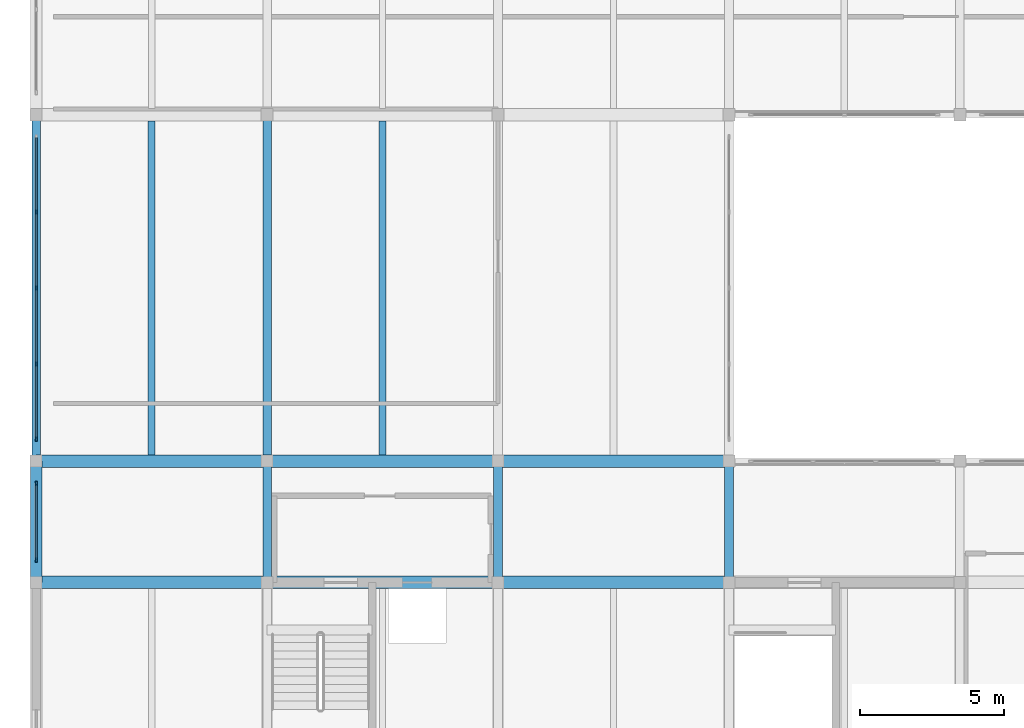
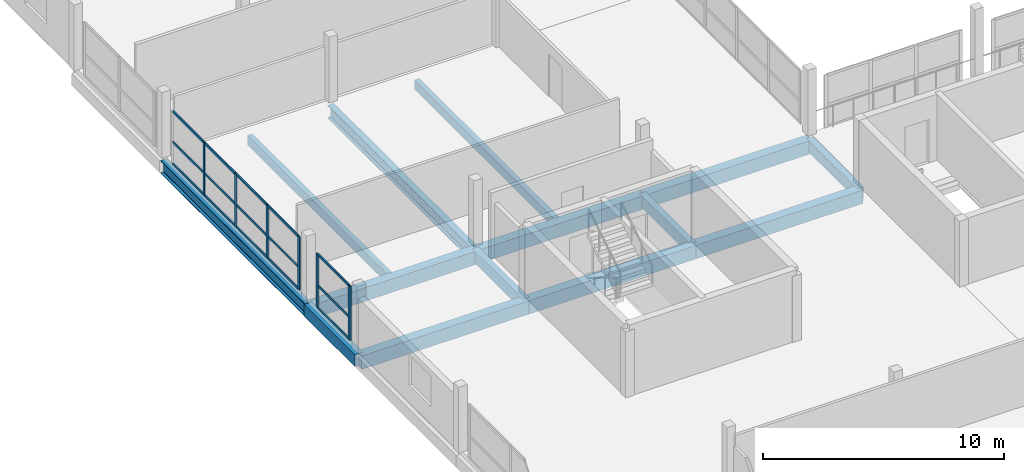
# One storey, part 18 of 51: 21 members, 14 beams, 2 elements without a shape of their own.
"""IFC4 building model written with IfcOpenShell, lengths in metres."""

from ifc_helpers import new_model, si_unit, direction, frame, origin, origin_2d, place, context, subcontext, project, spatial, rectangle, i_section, extrude, material, material_profile, profile_set, type_object, element, aggregate, save


model = new_model("IFC4")

# Units and contexts
model_context = context("Model", 3, precision=1e-05, world=origin(), true_north=direction((0.0, 1.0)))
body_context = subcontext(model_context, "Body", "Model", "MODEL_VIEW")
ifc_project = project(units=[si_unit("LENGTHUNIT", "METRE"), si_unit("AREAUNIT", "SQUARE_METRE"), si_unit("VOLUMEUNIT", "CUBIC_METRE"), si_unit("PLANEANGLEUNIT", "RADIAN"), si_unit("MASSUNIT", "GRAM", prefix="KILO")], contexts=[model_context])

# Site, building, storey
site_placement = place(None, origin())
site = spatial("IfcSite", under=ifc_project, at=site_placement, CompositionType="ELEMENT")
building_placement = place(site_placement, origin())
building = spatial("IfcBuilding", under=site, at=building_placement, Name="Vharandega Faculty of Natural Sciences", CompositionType="ELEMENT")
storey_placement = place(building_placement, frame((0.0, 0.0, 14.39990234375)))
storey = spatial("IfcBuildingStorey", under=building, at=storey_placement, Name="L03", CompositionType="ELEMENT", Elevation=14.39990234375)

# Curtain wall, members
ifc_material_1 = material(Name="Aluminium and solar-control glass curtain wall", Category="aluminium")
curtain_wall_type_1 = type_object("IfcCurtainWallType", Name="Unitised Curtain Wall System CW-09", PredefinedType="NOTDEFINED", material=ifc_material_1)
curtain_wall_1_placement = place(storey_placement, origin())
curtain_wall_1 = element("IfcCurtainWall", 1, at=curtain_wall_1_placement, inside=storey, type_object=curtain_wall_type_1, Name="Curtain Wall CW-L03-064", PredefinedType="NOTDEFINED")
ifc_material_2 = material(Name="Thermally broken aluminium 6063-T6", Category="aluminium")
ifc_material_profile_1 = material_profile(ifc_material_2, rectangle(XDim=0.06005859375, YDim=0.159912109375, at=origin_2d()), Name="ALU 60x160")
ifc_profile_set_1 = profile_set([ifc_material_profile_1], Name="Thermally broken aluminium 6063-T6")
member_type_1 = type_object("IfcMemberType", Name="CW Mullion 60x160", PredefinedType="MULLION", material=ifc_profile_set_1)
member_1_placement = place(storey_placement, frame((0.0, 81.570068359375, 0.0), z_axis=(0.0, 0.0, 1.0), x_axis=(-1.0, 0.0, 0.0)))
member_1 = element("IfcMember", 2, at=member_1_placement, type_object=member_type_1, Name="CW-09 mullion 1", PredefinedType="MULLION", context=body_context, shape_type="SweptSolid", body=[
    extrude(rectangle(XDim=0.06005859375, YDim=0.159912109375, at=origin_2d()), origin(), (0.0, 0.0, 1.0), 2.739990234375),
])
member_2_placement = place(storey_placement, frame((0.0, 84.22998046875, 0.0), z_axis=(0.0, 0.0, 1.0), x_axis=(-1.0, 0.0, 0.0)))
member_2 = element("IfcMember", 3, at=member_2_placement, type_object=member_type_1, Name="CW-09 mullion 2", PredefinedType="MULLION", context=body_context, shape_type="SweptSolid", body=[
    extrude(rectangle(XDim=0.06005859375, YDim=0.159912109375, at=origin_2d()), origin(), (0.0, 0.0, 1.0), 2.739990234375),
])

ifc_material_3 = material(Name="Aluminium and solar-control glass curtain wall", Category="aluminium")
curtain_wall_type_2 = type_object("IfcCurtainWallType", Name="Unitised Curtain Wall System CW-10", PredefinedType="NOTDEFINED", material=ifc_material_3)
curtain_wall_2_placement = place(storey_placement, origin())
curtain_wall_2 = element("IfcCurtainWall", 4, at=curtain_wall_2_placement, inside=storey, type_object=curtain_wall_type_2, Name="Curtain Wall CW-L03-065", PredefinedType="NOTDEFINED")
member_3_placement = place(storey_placement, frame((0.0, 85.77001953125, 0.0), z_axis=(0.0, 0.0, 1.0), x_axis=(-1.0, 0.0, 0.0)))
member_3 = element("IfcMember", 5, at=member_3_placement, type_object=member_type_1, Name="CW-10 mullion 1", PredefinedType="MULLION", context=body_context, shape_type="SweptSolid", body=[
    extrude(rectangle(XDim=0.06005859375, YDim=0.159912109375, at=origin_2d()), origin(), (0.0, 0.0, 1.0), 2.690185546875),
])
member_4_placement = place(storey_placement, frame((0.0, 88.3701171875, 0.0), z_axis=(0.0, 0.0, 1.0), x_axis=(-1.0, 0.0, 0.0)))
member_4 = element("IfcMember", 6, at=member_4_placement, type_object=member_type_1, Name="CW-10 mullion 2", PredefinedType="MULLION", context=body_context, shape_type="SweptSolid", body=[
    extrude(rectangle(XDim=0.06005859375, YDim=0.159912109375, at=origin_2d()), origin(), (0.0, 0.0, 1.0), 2.690185546875),
])
member_5_placement = place(storey_placement, frame((0.0, 91.0, 0.0), z_axis=(0.0, 0.0, 1.0), x_axis=(-1.0, 0.0, 0.0)))
member_5 = element("IfcMember", 7, at=member_5_placement, type_object=member_type_1, Name="CW-10 mullion 3", PredefinedType="MULLION", context=body_context, shape_type="SweptSolid", body=[
    extrude(rectangle(XDim=0.06005859375, YDim=0.159912109375, at=origin_2d()), origin(), (0.0, 0.0, 1.0), 2.690185546875),
])
member_6_placement = place(storey_placement, frame((0.0, 93.6298828125, 0.0), z_axis=(0.0, 0.0, 1.0), x_axis=(-1.0, 0.0, 0.0)))
member_6 = element("IfcMember", 8, at=member_6_placement, type_object=member_type_1, Name="CW-10 mullion 4", PredefinedType="MULLION", context=body_context, shape_type="SweptSolid", body=[
    extrude(rectangle(XDim=0.06005859375, YDim=0.159912109375, at=origin_2d()), origin(), (0.0, 0.0, 1.0), 2.690185546875),
])

# Member
ifc_material_4 = material(Name="Thermally broken aluminium 6063-T6", Category="aluminium")
ifc_material_profile_2 = material_profile(ifc_material_4, rectangle(XDim=0.06005859375, YDim=0.1201171875, at=origin_2d()), Name="ALU 60x120")
ifc_profile_set_2 = profile_set([ifc_material_profile_2], Name="Thermally broken aluminium 6063-T6")
member_type_2 = type_object("IfcMemberType", Name="CW Transom 60x120", PredefinedType="USERDEFINED", material=ifc_profile_set_2)
member_7_placement = place(storey_placement, frame((0.0, 81.60009765625, 0.030029296875), z_axis=(0.0, 1.0, 0.0), x_axis=(-1.0, 0.0, 0.0)))
member_7 = element("IfcMember", 9, at=member_7_placement, type_object=member_type_2, Name="CW-09 transom 1.1", ObjectType="TRANSOM", PredefinedType="USERDEFINED", context=body_context, shape_type="SweptSolid", body=[
    extrude(rectangle(XDim=0.06005859375, YDim=0.1201171875, at=origin_2d()), origin(), (0.0, 0.0, 1.0), 2.599853515625),
])

member_8_placement = place(storey_placement, frame((0.0, 81.60009765625, 1.15087890625), z_axis=(0.0, 1.0, 0.0), x_axis=(-1.0, 0.0, 0.0)))
member_8 = element("IfcMember", 10, at=member_8_placement, type_object=member_type_2, Name="CW-09 transom 1.2", ObjectType="TRANSOM", PredefinedType="USERDEFINED", context=body_context, shape_type="SweptSolid", body=[
    extrude(rectangle(XDim=0.06005859375, YDim=0.1201171875, at=origin_2d()), origin(), (0.0, 0.0, 1.0), 2.599853515625),
])

member_9_placement = place(storey_placement, frame((0.0, 81.60009765625, 2.710205078125), z_axis=(0.0, 1.0, 0.0), x_axis=(-1.0, 0.0, 0.0)))
member_9 = element("IfcMember", 11, at=member_9_placement, type_object=member_type_2, Name="CW-09 transom 1.3", ObjectType="TRANSOM", PredefinedType="USERDEFINED", context=body_context, shape_type="SweptSolid", body=[
    extrude(rectangle(XDim=0.06005859375, YDim=0.1201171875, at=origin_2d()), origin(), (0.0, 0.0, 1.0), 2.599853515625),
])

aggregate(curtain_wall_1, [member_1, member_2, member_7, member_8, member_9])

member_10_placement = place(storey_placement, frame((0.0, 85.800048828125, 0.030029296875), z_axis=(0.0, 1.0, 0.0), x_axis=(-1.0, 0.0, 0.0)))
member_10 = element("IfcMember", 12, at=member_10_placement, type_object=member_type_2, Name="CW-10 transom 1.1", ObjectType="TRANSOM", PredefinedType="USERDEFINED", context=body_context, shape_type="SweptSolid", body=[
    extrude(rectangle(XDim=0.06005859375, YDim=0.1201171875, at=origin_2d()), origin(), (0.0, 0.0, 1.0), 2.5400390625),
])

member_11_placement = place(storey_placement, frame((0.0, 85.800048828125, 1.1298828125), z_axis=(0.0, 1.0, 0.0), x_axis=(-1.0, 0.0, 0.0)))
member_11 = element("IfcMember", 13, at=member_11_placement, type_object=member_type_2, Name="CW-10 transom 1.2", ObjectType="TRANSOM", PredefinedType="USERDEFINED", context=body_context, shape_type="SweptSolid", body=[
    extrude(rectangle(XDim=0.06005859375, YDim=0.1201171875, at=origin_2d()), origin(), (0.0, 0.0, 1.0), 2.5400390625),
])

member_12_placement = place(storey_placement, frame((0.0, 85.800048828125, 2.66015625), z_axis=(0.0, 1.0, 0.0), x_axis=(-1.0, 0.0, 0.0)))
member_12 = element("IfcMember", 14, at=member_12_placement, type_object=member_type_2, Name="CW-10 transom 1.3", ObjectType="TRANSOM", PredefinedType="USERDEFINED", context=body_context, shape_type="SweptSolid", body=[
    extrude(rectangle(XDim=0.06005859375, YDim=0.1201171875, at=origin_2d()), origin(), (0.0, 0.0, 1.0), 2.5400390625),
])

member_13_placement = place(storey_placement, frame((0.0, 88.39990234375, 0.030029296875), z_axis=(0.0, 1.0, 0.0), x_axis=(-1.0, 0.0, 0.0)))
member_13 = element("IfcMember", 15, at=member_13_placement, type_object=member_type_2, Name="CW-10 transom 2.1", ObjectType="TRANSOM", PredefinedType="USERDEFINED", context=body_context, shape_type="SweptSolid", body=[
    extrude(rectangle(XDim=0.06005859375, YDim=0.1201171875, at=origin_2d()), origin(), (0.0, 0.0, 1.0), 2.570068359375),
])

member_14_placement = place(storey_placement, frame((0.0, 88.39990234375, 1.1298828125), z_axis=(0.0, 1.0, 0.0), x_axis=(-1.0, 0.0, 0.0)))
member_14 = element("IfcMember", 16, at=member_14_placement, type_object=member_type_2, Name="CW-10 transom 2.2", ObjectType="TRANSOM", PredefinedType="USERDEFINED", context=body_context, shape_type="SweptSolid", body=[
    extrude(rectangle(XDim=0.06005859375, YDim=0.1201171875, at=origin_2d()), origin(), (0.0, 0.0, 1.0), 2.570068359375),
])

member_15_placement = place(storey_placement, frame((0.0, 88.39990234375, 2.66015625), z_axis=(0.0, 1.0, 0.0), x_axis=(-1.0, 0.0, 0.0)))
member_15 = element("IfcMember", 17, at=member_15_placement, type_object=member_type_2, Name="CW-10 transom 2.3", ObjectType="TRANSOM", PredefinedType="USERDEFINED", context=body_context, shape_type="SweptSolid", body=[
    extrude(rectangle(XDim=0.06005859375, YDim=0.1201171875, at=origin_2d()), origin(), (0.0, 0.0, 1.0), 2.570068359375),
])

member_16_placement = place(storey_placement, frame((0.0, 91.030029296875, 0.030029296875), z_axis=(0.0, 1.0, 0.0), x_axis=(-1.0, 0.0, 0.0)))
member_16 = element("IfcMember", 18, at=member_16_placement, type_object=member_type_2, Name="CW-10 transom 3.1", ObjectType="TRANSOM", PredefinedType="USERDEFINED", context=body_context, shape_type="SweptSolid", body=[
    extrude(rectangle(XDim=0.06005859375, YDim=0.1201171875, at=origin_2d()), origin(), (0.0, 0.0, 1.0), 2.570068359375),
])

member_17_placement = place(storey_placement, frame((0.0, 91.030029296875, 1.1298828125), z_axis=(0.0, 1.0, 0.0), x_axis=(-1.0, 0.0, 0.0)))
member_17 = element("IfcMember", 19, at=member_17_placement, type_object=member_type_2, Name="CW-10 transom 3.2", ObjectType="TRANSOM", PredefinedType="USERDEFINED", context=body_context, shape_type="SweptSolid", body=[
    extrude(rectangle(XDim=0.06005859375, YDim=0.1201171875, at=origin_2d()), origin(), (0.0, 0.0, 1.0), 2.570068359375),
])

member_18_placement = place(storey_placement, frame((0.0, 91.030029296875, 2.66015625), z_axis=(0.0, 1.0, 0.0), x_axis=(-1.0, 0.0, 0.0)))
member_18 = element("IfcMember", 20, at=member_18_placement, type_object=member_type_2, Name="CW-10 transom 3.3", ObjectType="TRANSOM", PredefinedType="USERDEFINED", context=body_context, shape_type="SweptSolid", body=[
    extrude(rectangle(XDim=0.06005859375, YDim=0.1201171875, at=origin_2d()), origin(), (0.0, 0.0, 1.0), 2.570068359375),
])

member_19_placement = place(storey_placement, frame((0.0, 93.659912109375, 0.030029296875), z_axis=(0.0, 1.0, 0.0), x_axis=(-1.0, 0.0, 0.0)))
member_19 = element("IfcMember", 21, at=member_19_placement, type_object=member_type_2, Name="CW-10 transom 4.1", ObjectType="TRANSOM", PredefinedType="USERDEFINED", context=body_context, shape_type="SweptSolid", body=[
    extrude(rectangle(XDim=0.06005859375, YDim=0.1201171875, at=origin_2d()), origin(), (0.0, 0.0, 1.0), 2.5400390625),
])

member_20_placement = place(storey_placement, frame((0.0, 93.659912109375, 1.1298828125), z_axis=(0.0, 1.0, 0.0), x_axis=(-1.0, 0.0, 0.0)))
member_20 = element("IfcMember", 22, at=member_20_placement, type_object=member_type_2, Name="CW-10 transom 4.2", ObjectType="TRANSOM", PredefinedType="USERDEFINED", context=body_context, shape_type="SweptSolid", body=[
    extrude(rectangle(XDim=0.06005859375, YDim=0.1201171875, at=origin_2d()), origin(), (0.0, 0.0, 1.0), 2.5400390625),
])

member_21_placement = place(storey_placement, frame((0.0, 93.659912109375, 2.66015625), z_axis=(0.0, 1.0, 0.0), x_axis=(-1.0, 0.0, 0.0)))
member_21 = element("IfcMember", 23, at=member_21_placement, type_object=member_type_2, Name="CW-10 transom 4.3", ObjectType="TRANSOM", PredefinedType="USERDEFINED", context=body_context, shape_type="SweptSolid", body=[
    extrude(rectangle(XDim=0.06005859375, YDim=0.1201171875, at=origin_2d()), origin(), (0.0, 0.0, 1.0), 2.5400390625),
])

aggregate(curtain_wall_2, [member_3, member_4, member_5, member_6, member_10, member_11, member_12, member_13, member_14, member_15, member_16, member_17, member_18, member_19, member_20, member_21])

# Beams
ifc_material_5 = material(Name="Glulam GL28h", Category="wood")
ifc_material_profile_3 = material_profile(ifc_material_5, rectangle(XDim=0.300048828125, YDim=0.60009765625, at=origin_2d()), Name="GL28h 300x600")
ifc_profile_set_3 = profile_set([ifc_material_profile_3], Name="Glulam GL28h")
beam_type_1 = type_object("IfcBeamType", Name="Glulam Floor Beam 300x600", PredefinedType="BEAM", material=ifc_profile_set_3)
for number, where, z_axis, x_axis, name in (
    (24, (8.0, 80.800048828125, -0.539794921875), (0.0, 1.0, 0.0), (-1.0, 0.0, 0.0), "Beam L03 2/L-M"),
    (25, (16.0, 80.800048828125, -0.539794921875), (0.0, 1.0, 0.0), (-1.0, 0.0, 0.0), "Beam L03 3/L-M"),
    (26, (24.0, 80.800048828125, -0.539794921875), (0.0, 1.0, 0.0), (-1.0, 0.0, 0.0), "Beam L03 4/L-M"),
):
    element("IfcBeam", number, at=place(storey_placement, frame(where, z_axis=z_axis, x_axis=x_axis)), inside=storey, type_object=beam_type_1, Name=name, PredefinedType="BEAM", context=body_context, shape_type="SweptSolid", body=[
        extrude(rectangle(XDim=0.300048828125, YDim=0.60009765625, at=origin_2d()), origin(), (0.0, 0.0, 1.0), 4.199951171875),
    ])
ifc_material_6 = material(Name="Glulam GL32h", Category="wood")
ifc_material_profile_4 = material_profile(ifc_material_6, rectangle(XDim=0.43994140625, YDim=0.679931640625, at=origin_2d()), Name="GL32h 440x680")
ifc_profile_set_4 = profile_set([ifc_material_profile_4], Name="Glulam GL32h")
beam_type_2 = type_object("IfcBeamType", Name="Glulam Girder 440x680", PredefinedType="BEAM", material=ifc_profile_set_4)
for number, where, z_axis, x_axis, name in (
    (27, (0.0, 80.800048828125, -0.579833984375), (1.0, 0.0, 0.0), (0.0, 1.0, 0.0), "Beam L03 L/1-2"),
    (28, (8.0, 80.800048828125, -0.579833984375), (1.0, 0.0, 0.0), (0.0, 1.0, 0.0), "Beam L03 L/2-3"),
    (29, (16.0, 80.800048828125, -0.579833984375), (1.0, 0.0, 0.0), (0.0, 1.0, 0.0), "Beam L03 L/3-4"),
    (30, (0.0, 85.0, -0.579833984375), (1.0, 0.0, 0.0), (0.0, 1.0, 0.0), "Beam L03 M/1-2"),
    (31, (8.0, 85.0, -0.579833984375), (1.0, 0.0, 0.0), (0.0, 1.0, 0.0), "Beam L03 M/2-3"),
    (32, (16.0, 85.0, -0.579833984375), (1.0, 0.0, 0.0), (0.0, 1.0, 0.0), "Beam L03 M/3-4"),
):
    element("IfcBeam", number, at=place(storey_placement, frame(where, z_axis=z_axis, x_axis=x_axis)), inside=storey, type_object=beam_type_2, Name=name, PredefinedType="BEAM", context=body_context, shape_type="SweptSolid", body=[
        extrude(rectangle(XDim=0.43994140625, YDim=0.679931640625, at=origin_2d()), origin(), (0.0, 0.0, 1.0), 8.0),
    ])
ifc_material_7 = material(Name="Glulam GL28h", Category="wood")
ifc_material_profile_5 = material_profile(ifc_material_7, rectangle(XDim=0.239990234375, YDim=0.47998046875, at=origin_2d()), Name="GL28h 240x480")
ifc_profile_set_5 = profile_set([ifc_material_profile_5], Name="Glulam GL28h")
beam_type_3 = type_object("IfcBeamType", Name="Glulam Secondary Joist 240x480", PredefinedType="JOIST", material=ifc_profile_set_5)
for number, where, z_axis, x_axis, name in (
    (33, (4.0, 85.219970703125, -0.47998046875), (0.0, 1.0, 0.0), (-1.0, 0.0, 0.0), "Secondary Joist L03 1-2/M-N"),
    (34, (12.0, 85.219970703125, -0.47998046875), (0.0, 1.0, 0.0), (-1.0, 0.0, 0.0), "Secondary Joist L03 2-3/M-N"),
):
    element("IfcBeam", number, at=place(storey_placement, frame(where, z_axis=z_axis, x_axis=x_axis)), inside=storey, type_object=beam_type_3, Name=name, PredefinedType="JOIST", context=body_context, shape_type="SweptSolid", body=[
        extrude(rectangle(XDim=0.239990234375, YDim=0.47998046875, at=origin_2d()), origin(), (0.0, 0.0, 1.0), 11.56005859375),
    ])
ifc_material_8 = material(Name="Glulam GL32h", Category="wood")
ifc_material_profile_6 = material_profile(ifc_material_8, rectangle(XDim=0.39990234375, YDim=0.60009765625, at=origin_2d()), Name="GL32h 400x600")
ifc_profile_set_6 = profile_set([ifc_material_profile_6], Name="Glulam GL32h")
beam_type_4 = type_object("IfcBeamType", Name="Glulam Spine Girder 400x600", PredefinedType="BEAM", material=ifc_profile_set_6)
beam_placement = place(storey_placement, frame((0.0, 80.800048828125, -0.539794921875), z_axis=(0.0, 1.0, 0.0), x_axis=(-1.0, 0.0, 0.0)))
element("IfcBeam", 35, at=beam_placement, inside=storey, type_object=beam_type_4, Name="Beam L03 1/L-M", PredefinedType="BEAM", context=body_context, shape_type="SweptSolid", body=[
    extrude(rectangle(XDim=0.39990234375, YDim=0.60009765625, at=origin_2d()), origin(), (0.0, 0.0, 1.0), 4.199951171875),
])
ifc_material_9 = material(Name="Steel S355", Category="steel")
ifc_material_profile_7 = material_profile(ifc_material_9, i_section(OverallWidth=0.300048828125, OverallDepth=0.64990234375, WebThickness=0.01611328125, FlangeThickness=0.031005859375, FilletRadius=0.027099609375, at=origin_2d()), Name="HEB 650")
ifc_profile_set_7 = profile_set([ifc_material_profile_7], Name="Steel S355")
beam_type_5 = type_object("IfcBeamType", Name="Steel Collector Beam HEB 650", PredefinedType="BEAM", material=ifc_profile_set_7)
for number, where, z_axis, x_axis, name in (
    (36, (0.0, 85.0, -0.56494140625), (0.0, 1.0, 0.0), (-1.0, 0.0, 0.0), "Beam L03 1/M-N"),
    (37, (8.0, 85.0, -0.56494140625), (0.0, 1.0, 0.0), (-1.0, 0.0, 0.0), "Beam L03 2/M-N"),
):
    element("IfcBeam", number, at=place(storey_placement, frame(where, z_axis=z_axis, x_axis=x_axis)), inside=storey, type_object=beam_type_5, Name=name, PredefinedType="BEAM", context=body_context, shape_type="SweptSolid", body=[
        extrude(i_section(OverallWidth=0.300048828125, OverallDepth=0.64990234375, WebThickness=0.01611328125, FlangeThickness=0.031005859375, FilletRadius=0.027099609375, at=origin_2d()), origin(), (0.0, 0.0, 1.0), 12.0),
    ])

save(model, "model.ifc")
